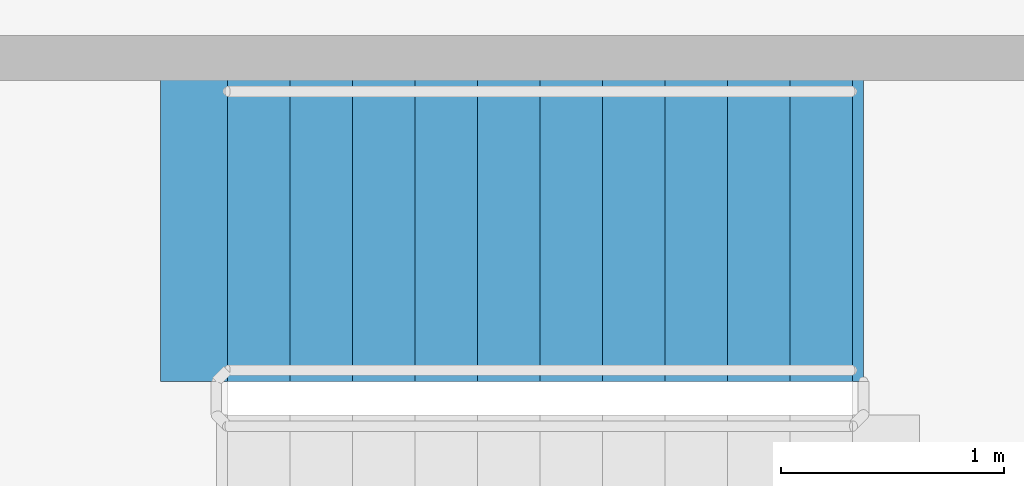
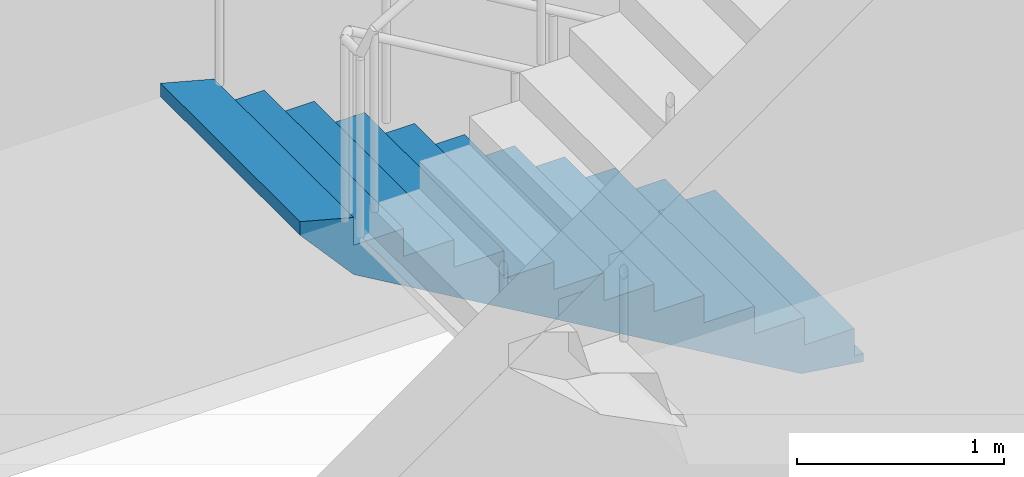
# One storey, part 16 of 20: 1 stair flight, 1 element without a shape of its own.
"""IFC4 building model written with IfcOpenShell, lengths in metres."""

from ifc_helpers import new_model, si_unit, direction, frame, origin, place, context, subcontext, project, spatial, polyline, outline, extrude, material, type_object, element, aggregate, save


model = new_model("IFC4")

# Units and contexts
model_context = context("Model", 3, precision=1e-05, world=origin(), true_north=direction((0.0, 1.0)))
body_context = subcontext(model_context, "Body", "Model", "MODEL_VIEW")
ifc_project = project(units=[si_unit("LENGTHUNIT", "METRE"), si_unit("AREAUNIT", "SQUARE_METRE"), si_unit("VOLUMEUNIT", "CUBIC_METRE"), si_unit("PLANEANGLEUNIT", "RADIAN"), si_unit("MASSUNIT", "GRAM", prefix="KILO")], contexts=[model_context])

# Site, building, storey
site_placement = place(None, origin())
site = spatial("IfcSite", under=ifc_project, at=site_placement, CompositionType="ELEMENT")
building_placement = place(site_placement, origin())
building = spatial("IfcBuilding", under=site, at=building_placement, Name="Zarbagh Exchange Tower", CompositionType="ELEMENT")
storey_placement = place(building_placement, frame((0.0, 0.0, 291.60009765625)))
storey = spatial("IfcBuildingStorey", under=building, at=storey_placement, Name="L71", CompositionType="ELEMENT", Elevation=291.60009765625)

# Stair, stair flight
ifc_material = material(Name="Concrete C40/50", Category="concrete")
stair_type = type_object("IfcStairType", Name="Exit stair two-flight half-turn", PredefinedType="HALF_TURN_STAIR", material=ifc_material)
stair_placement = place(storey_placement, origin())
stair = element("IfcStair", 1, at=stair_placement, inside=storey, type_object=stair_type, Name="exit stair ST1", PredefinedType="HALF_TURN_STAIR")
stair_flight_type = type_object("IfcStairFlightType", Name="Stair flight 1350 mm", PredefinedType="STRAIGHT", material=ifc_material)
stair_flight_placement = place(storey_placement, frame((2.64990234375, 17.375, 0.0), z_axis=(0.0, 0.0, 1.0), x_axis=(-1.0, 0.0, 0.0)))
stair_flight = element("IfcStairFlight", 2, at=stair_flight_placement, type_object=stair_flight_type, Name="ST1 flight 1", NumberOfRisers=11, NumberOfTreads=10, PredefinedType="STRAIGHT", RiserHeight=0.163636364, TreadLength=0.28, context=body_context, shape_type="SweptSolid", body=[
    extrude(outline(polyline([(-0.050048828125, -0.050048828125), (-0.050048828125, 0.0), (0.0, 0.0), (0.0, 0.16357421875), (0.280029296875, 0.16357421875), (0.280029296875, 0.327392578125), (0.56005859375, 0.327392578125), (0.56005859375, 0.490966796875), (0.840087890625, 0.490966796875), (0.840087890625, 0.654541015625), (1.1201171875, 0.654541015625), (1.1201171875, 0.818115234375), (1.39990234375, 0.818115234375), (1.39990234375, 0.98193359375), (1.679931640625, 0.98193359375), (1.679931640625, 1.1455078125), (1.9599609375, 1.1455078125), (1.9599609375, 1.30908203125), (2.239990234375, 1.30908203125), (2.239990234375, 1.47265625), (2.52001953125, 1.47265625), (2.52001953125, 1.636474609375), (2.800048828125, 1.636474609375), (2.800048828125, 1.800048828125), (3.10009765625, 1.8798828125), (3.10009765625, 1.800048828125), (2.800048828125, 1.462646484375), (0.297119140625, 0.0), (-0.050048828125, -0.050048828125)])), frame((0.0, 0.675048828125, 0.0), z_axis=(0.0, -1.0, 0.0), x_axis=(1.0, 0.0, 0.0)), (0.0, 0.0, 1.0), 1.35009765625),
])
aggregate(stair, [stair_flight])

save(model, "model.ifc")
